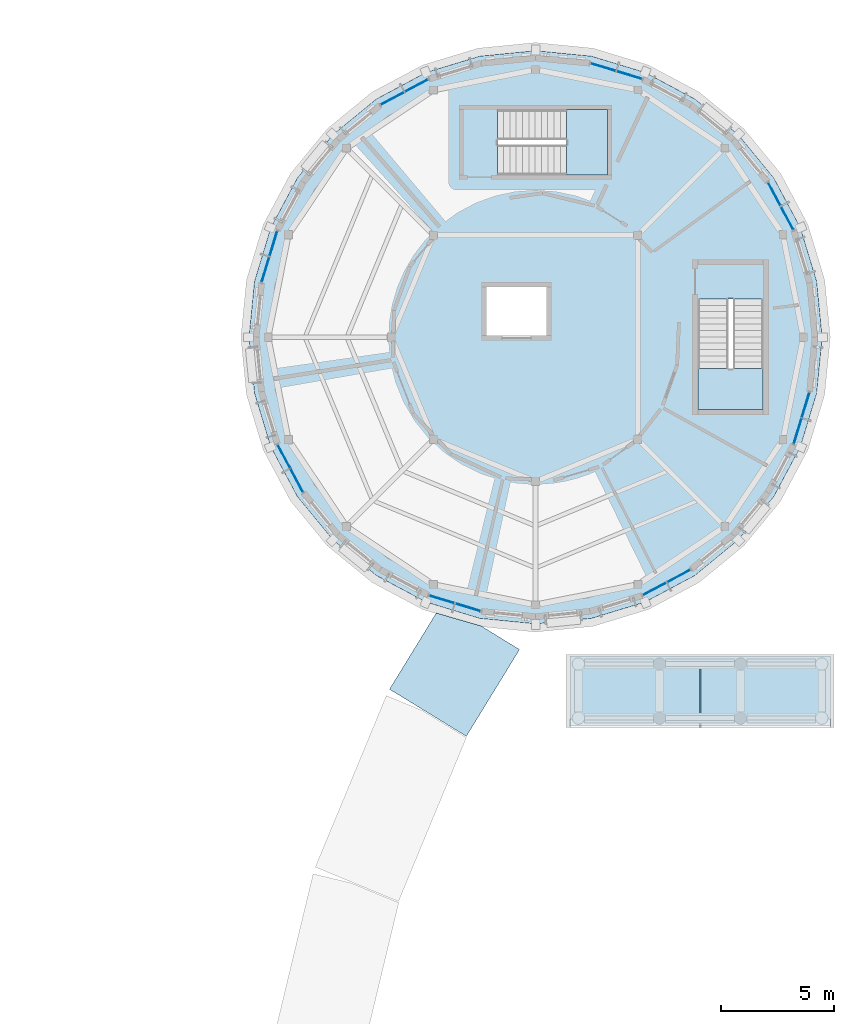
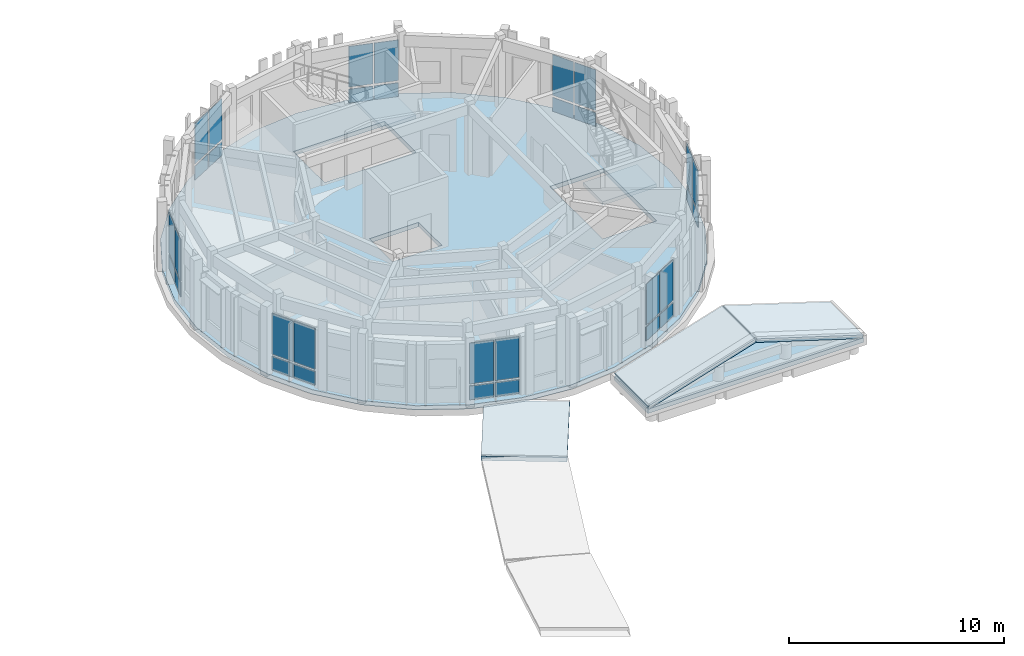
# One storey, part 25 of 58: 32 plates, 7 slabs, 10 elements without a shape of their own.
"""IFC4 building model written with IfcOpenShell, lengths in metres."""

import ifcopenshell
import ifcopenshell.guid

model = None  # the IFC model being written
_history = None  # IfcOwnerHistory: only IFC2X3 demands one
_inside = {}  # id of a spatial element -> (the spatial element, [elements in it])
_under = {}  # id of a project, library or spatial element -> (it, [spatial elements below it])
_declared = {}  # id of a project -> (the project, [libraries it declares])
_typed = {}  # id of a type object -> (the type object, [elements of that type])
_made_of = {}  # id of a material, layer set ... -> (it, [elements and type objects made of it])


def new_model(schema):
    """Start an empty IFC model of exactly this schema.

    Asked for "IFC4X3", IfcOpenShell would pick the latest addendum, in which some entities
    have other attributes; the version numbers below select the first issue.
    IFC2X3 requires an IfcOwnerHistory on every rooted entity: one is made here for all.
    """
    global model, _history
    if schema == "IFC4X3":
        model = ifcopenshell.file(schema_version=(4, 3, 0, 0))
    else:
        model = ifcopenshell.file(schema=schema)
    _inside.clear()
    _under.clear()
    _declared.clear()
    _typed.clear()
    _made_of.clear()
    _history = None
    if model.schema == "IFC2X3":
        org = make("IfcOrganization", Name="unknown")
        user = make(
            "IfcPersonAndOrganization",
            ThePerson=make("IfcPerson", FamilyName="unknown"),
            TheOrganization=org,
        )
        app = make(
            "IfcApplication",
            ApplicationDeveloper=org,
            Version="unknown",
            ApplicationFullName="unknown",
            ApplicationIdentifier="unknown",
        )
        _history = make(
            "IfcOwnerHistory",
            OwningUser=user,
            OwningApplication=app,
            ChangeAction="ADDED",
            CreationDate=0,
        )
    return model


def make(cls, **values):
    """One entity of the class cls with the attributes given. An attribute that is None is left unset."""
    return model.create_entity(
        cls, **{name: value for name, value in values.items() if value is not None}
    )


def rooted(cls, **values):
    """An entity with a GlobalId (a new one), such as an element, a storey or a relation."""
    return make(cls, GlobalId=ifcopenshell.guid.new(), OwnerHistory=_history, **values)


def si_unit(unit_type, name, prefix=None):
    """IfcSIUnit, for example si_unit("LENGTHUNIT", "METRE", prefix="MILLI")."""
    return make("IfcSIUnit", UnitType=unit_type, Prefix=prefix, Name=name)


def assignment(units):
    """IfcUnitAssignment: the units of a project."""
    return None if units is None else make("IfcUnitAssignment", Units=units)


def point(xyz):
    """IfcCartesianPoint."""
    return None if xyz is None else make("IfcCartesianPoint", Coordinates=xyz)


def direction(xyz):
    """IfcDirection."""
    return None if xyz is None else make("IfcDirection", DirectionRatios=xyz)


def frame(location, z_axis=None, x_axis=None):
    """IfcAxis2Placement3D, a coordinate frame: its origin and axes. An axis left out is left unset."""
    return make(
        "IfcAxis2Placement3D",
        Location=point(location),
        Axis=direction(z_axis),
        RefDirection=direction(x_axis),
    )


def frame_2d(location, x_axis=None):
    """IfcAxis2Placement2D, a coordinate frame in the plane: its origin and x axis."""
    return make(
        "IfcAxis2Placement2D", Location=point(location), RefDirection=direction(x_axis)
    )


def origin():
    """The frame at (0, 0, 0) with its axes left unset."""
    return frame((0.0, 0.0, 0.0))


def origin_2d():
    """The frame at (0, 0) in the plane with its x axis left unset."""
    return frame_2d((0.0, 0.0))


def place(relative_to, where):
    """IfcLocalPlacement: puts the frame where relative to a parent placement (None: the world)."""
    return make(
        "IfcLocalPlacement", PlacementRelTo=relative_to, RelativePlacement=where
    )


def context(
    kind, dimensions, precision=None, world=None, true_north=None, identifier=None
):
    """IfcGeometricRepresentationContext, for example the 3D "Model" context."""
    return make(
        "IfcGeometricRepresentationContext",
        ContextIdentifier=identifier,
        ContextType=kind,
        CoordinateSpaceDimension=dimensions,
        Precision=precision,
        WorldCoordinateSystem=world,
        TrueNorth=true_north,
    )


def subcontext(parent, identifier, kind, view, scale=None):
    """IfcGeometricRepresentationSubContext, for example "Body" below "Model"."""
    return make(
        "IfcGeometricRepresentationSubContext",
        ContextIdentifier=identifier,
        ContextType=kind,
        ParentContext=parent,
        TargetScale=scale,
        TargetView=view,
    )


def project(units=None, contexts=None):
    """IfcProject with its units and contexts."""
    return rooted(
        "IfcProject",
        Name="project",
        RepresentationContexts=contexts,
        UnitsInContext=assignment(units),
    )


def spatial(cls, under=None, at=None, **own):
    """A site, building, storey or space (cls), placed at a placement, below another one or the project."""
    s = rooted(cls, ObjectPlacement=at, **own)
    if under is not None:
        _under.setdefault(under.id(), (under, []))[1].append(s)
    return s


def polyline(points):
    """IfcPolyline through the points."""
    return make("IfcPolyline", Points=[point(p) for p in points])


def profile(cls, at=None, kind="AREA", **sizes):
    """A parametric profile (cls). Its sizes go by their IFC names, for example OverallWidth=200.0."""
    return make(cls, ProfileType=kind, Position=at, **sizes)


def rectangle(**sizes):
    """IfcRectangleProfileDef."""
    return profile("IfcRectangleProfileDef", **sizes)


def outline(outer, holes=None, kind="AREA"):
    """IfcArbitraryClosedProfileDef: a profile drawn as a closed curve; with holes, ...WithVoids."""
    if holes is None:
        return make("IfcArbitraryClosedProfileDef", ProfileType=kind, OuterCurve=outer)
    return make(
        "IfcArbitraryProfileDefWithVoids",
        ProfileType=kind,
        OuterCurve=outer,
        InnerCurves=holes,
    )


def extrude(swept, where, along, depth):
    """IfcExtrudedAreaSolid: the profile swept, set in the frame where, extruded along a direction by depth."""
    return make(
        "IfcExtrudedAreaSolid",
        SweptArea=swept,
        Position=where,
        ExtrudedDirection=direction(along),
        Depth=depth,
    )


def shape(context_of_items, identifier, shape_type, items):
    """IfcShapeRepresentation: the items that make up one representation, for example the "Body"."""
    return make(
        "IfcShapeRepresentation",
        ContextOfItems=context_of_items,
        RepresentationIdentifier=identifier,
        RepresentationType=shape_type,
        Items=items,
    )


def material(Name=None, Category=None):
    """IfcMaterial."""
    return make("IfcMaterial", Name=Name, Category=Category)


def layer(
    of_material, thickness, ventilated=None, Name=None, Category=None, Priority=None
):
    """IfcMaterialLayer: one layer of a wall or slab, of a material (None: an air gap)."""
    return make(
        "IfcMaterialLayer",
        Material=of_material,
        LayerThickness=thickness,
        IsVentilated=ventilated,
        Name=Name,
        Category=Category,
        Priority=Priority,
    )


def layer_set(layers, Name=None):
    """IfcMaterialLayerSet."""
    return make("IfcMaterialLayerSet", MaterialLayers=layers, LayerSetName=Name)


def made_of(thing, what):
    """Note that an element or type object is made of a material, layer set ...; save() writes the relation."""
    if what is not None:
        _made_of.setdefault(what.id(), (what, []))[1].append(thing)
    return thing


def type_object(cls, material=None, **own):
    """A type object (cls), such as IfcWallType, which elements share."""
    return made_of(rooted(cls, **own), material)


def element(
    cls,
    number,
    at=None,
    inside=None,
    cuts=None,
    type_object=None,
    material=None,
    context=None,
    identifier="Body",
    shape_type=None,
    held_by="IfcProductDefinitionShape",
    body=None,
    shapes=None,
    **own,
):
    """One element of the class cls, such as IfcWall. Its Tag is "e" and its number.

    at: its placement. inside: the storey or other place that contains it. cuts: it is an
    opening in that element (IfcRelVoidsElement). A single representation is given by context,
    identifier, shape_type and body (its items); several are given by shapes. held_by: the class
    of the entity that holds the representations. save() writes the other relations.
    """
    e = rooted(cls, Tag="e%d" % number, ObjectPlacement=at, **own)
    if body is not None:
        shapes = [shape(context, identifier, shape_type, body)]
    if shapes is not None:
        e.Representation = make(held_by, Representations=shapes)
    if inside is not None:
        _inside.setdefault(inside.id(), (inside, []))[1].append(e)
    if cuts is not None:
        rooted(
            "IfcRelVoidsElement", RelatingBuildingElement=cuts, RelatedOpeningElement=e
        )
    if type_object is not None:
        _typed.setdefault(type_object.id(), (type_object, []))[1].append(e)
    return made_of(e, material)


def aggregate(whole, parts):
    """IfcRelAggregates: a whole, such as a stair, and the parts it consists of."""
    return rooted("IfcRelAggregates", RelatingObject=whole, RelatedObjects=parts)


def save(model, path):
    """Write the relations noted so far, then the file.

    IfcRelAggregates (storeys below a building ...), IfcRelContainedInSpatialStructure (elements
    in a storey), IfcRelDefinesByType, IfcRelAssociatesMaterial and IfcRelDeclares: one each for
    every whole, place, type object, material and project.
    """
    for whole, parts in _under.values():
        aggregate(whole, parts)
    for where, things in _inside.values():
        rooted(
            "IfcRelContainedInSpatialStructure",
            RelatedElements=things,
            RelatingStructure=where,
        )
    for kind, things in _typed.values():
        rooted("IfcRelDefinesByType", RelatedObjects=things, RelatingType=kind)
    for what, things in _made_of.values():
        rooted("IfcRelAssociatesMaterial", RelatedObjects=things, RelatingMaterial=what)
    for by, libraries in _declared.values():
        rooted("IfcRelDeclares", RelatingContext=by, RelatedDefinitions=libraries)
    model.write(path)


model = new_model("IFC4")

# Units and contexts
model_context = context("Model", 3, precision=1e-05, world=origin(), true_north=direction((0.0, 1.0)))
body_context = subcontext(model_context, "Body", "Model", "MODEL_VIEW")
ifc_project = project(units=[si_unit("LENGTHUNIT", "METRE"), si_unit("AREAUNIT", "SQUARE_METRE"), si_unit("VOLUMEUNIT", "CUBIC_METRE"), si_unit("PLANEANGLEUNIT", "RADIAN"), si_unit("MASSUNIT", "GRAM", prefix="KILO")], contexts=[model_context])

# Site, building, storey
site_placement = place(None, origin())
site = spatial("IfcSite", under=ifc_project, at=site_placement, CompositionType="ELEMENT")
building_placement = place(site_placement, origin())
building = spatial("IfcBuilding", under=site, at=building_placement, Name="Aldenvaro Health Centre", CompositionType="ELEMENT")
storey_placement = place(building_placement, frame((0.0, 0.0, 8.75)))
storey = spatial("IfcBuildingStorey", under=building, at=storey_placement, Name="L02", CompositionType="ELEMENT", Elevation=8.75)

# Curtain wall, plates
ifc_material_1 = material(Name="Anodised Aluminium 6063-T6", Category="aluminium")
ifc_layer_1 = layer(ifc_material_1, 0.195068359375, Name="Anodised Aluminium 6063-T6", Category="aluminium")
ifc_layer_set_1 = layer_set([ifc_layer_1], Name="Anodised Aluminium 6063-T6")
curtain_wall_type = type_object("IfcCurtainWallType", Name="CW-CLN-02", PredefinedType="NOTDEFINED", material=ifc_layer_set_1)
curtain_wall_1_placement = place(storey_placement, origin())
curtain_wall_1 = element("IfcCurtainWall", 1, at=curtain_wall_1_placement, inside=storey, type_object=curtain_wall_type, Name="D2 L02 curtain wall bay 02", PredefinedType="NOTDEFINED")
ifc_material_2 = material(Name="Low-E Double Glazing IGU", Category="glass")
ifc_layer_2 = layer(ifc_material_2, 0.028076171875, Name="Low-E Double Glazing IGU", Category="glass")
ifc_layer_set_2 = layer_set([ifc_layer_2], Name="Low-E Double Glazing IGU")
plate_type_1 = type_object("IfcPlateType", Name="CWP-IGU-28", PredefinedType="CURTAIN_PANEL", material=ifc_layer_set_2)
plate_1_placement = place(storey_placement, frame((166.486083984375, 96.4990234375, 0.96044921875), z_axis=(0.0, 0.0, 1.0), x_axis=(-0.290441245116, -0.956892827403, 0.0)))
plate_1 = element("IfcPlate", 2, at=plate_1_placement, type_object=plate_type_1, Name="D2 L02 curtain wall bay 02 vision glazing 1", PredefinedType="CURTAIN_PANEL", context=body_context, shape_type="SweptSolid", body=[
    extrude(rectangle(XDim=1.14501953125, YDim=0.028076171875, at=origin_2d()), origin(), (0.0, 0.0, 1.0), 2.30908203125),
])
plate_2_placement = place(storey_placement, frame((166.132080078125, 95.3369140625, 0.96044921875), z_axis=(0.0, 0.0, 1.0), x_axis=(-0.290441245116, -0.956892827403, 0.0)))
plate_2 = element("IfcPlate", 3, at=plate_2_placement, type_object=plate_type_1, Name="D2 L02 curtain wall bay 02 vision glazing 2", PredefinedType="CURTAIN_PANEL", context=body_context, shape_type="SweptSolid", body=[
    extrude(rectangle(XDim=1.14501953125, YDim=0.028076171875, at=origin_2d()), origin(), (0.0, 0.0, 1.0), 2.30908203125),
])

curtain_wall_2_placement = place(storey_placement, origin())
curtain_wall_2 = element("IfcCurtainWall", 4, at=curtain_wall_2_placement, inside=storey, type_object=curtain_wall_type, Name="D2 L02 curtain wall bay 06", PredefinedType="NOTDEFINED")
plate_3_placement = place(storey_placement, frame((160.85302734375, 88.903076171875, 0.96044921875), z_axis=(0.0, 0.0, 1.0), x_axis=(-0.881919874971, -0.471399336159, 0.0)))
plate_3 = element("IfcPlate", 5, at=plate_3_placement, type_object=plate_type_1, Name="D2 L02 curtain wall bay 06 vision glazing 1", PredefinedType="CURTAIN_PANEL", context=body_context, shape_type="SweptSolid", body=[
    extrude(rectangle(XDim=1.14599609375, YDim=0.028076171875, at=origin_2d()), origin(), (0.0, 0.0, 1.0), 2.30908203125),
])
plate_4_placement = place(storey_placement, frame((159.781005859375, 88.3310546875, 0.96044921875), z_axis=(0.0, 0.0, 1.0), x_axis=(-0.881919874971, -0.471399336159, 0.0)))
plate_4 = element("IfcPlate", 6, at=plate_4_placement, type_object=plate_type_1, Name="D2 L02 curtain wall bay 06 vision glazing 2", PredefinedType="CURTAIN_PANEL", context=body_context, shape_type="SweptSolid", body=[
    extrude(rectangle(XDim=1.14599609375, YDim=0.028076171875, at=origin_2d()), origin(), (0.0, 0.0, 1.0), 2.30908203125),
])

curtain_wall_3_placement = place(storey_placement, origin())
curtain_wall_3 = element("IfcCurtainWall", 7, at=curtain_wall_3_placement, inside=storey, type_object=curtain_wall_type, Name="D2 L02 curtain wall bay 10", PredefinedType="NOTDEFINED")
plate_5_placement = place(storey_placement, frame((151.4990234375, 87.513916015625, 0.96044921875), z_axis=(0.0, 0.0, 1.0), x_axis=(-0.956892827403, 0.290441245116, 0.0)))
plate_5 = element("IfcPlate", 8, at=plate_5_placement, type_object=plate_type_1, Name="D2 L02 curtain wall bay 10 vision glazing 1", PredefinedType="CURTAIN_PANEL", context=body_context, shape_type="SweptSolid", body=[
    extrude(rectangle(XDim=1.14501953125, YDim=0.028076171875, at=origin_2d()), origin(), (0.0, 0.0, 1.0), 2.30908203125),
])
plate_6_placement = place(storey_placement, frame((150.3369140625, 87.866943359375, 0.96044921875), z_axis=(0.0, 0.0, 1.0), x_axis=(-0.956892827403, 0.290441245116, 0.0)))
plate_6 = element("IfcPlate", 9, at=plate_6_placement, type_object=plate_type_1, Name="D2 L02 curtain wall bay 10 vision glazing 2", PredefinedType="CURTAIN_PANEL", context=body_context, shape_type="SweptSolid", body=[
    extrude(rectangle(XDim=1.14501953125, YDim=0.028076171875, at=origin_2d()), origin(), (0.0, 0.0, 1.0), 2.30908203125),
])

curtain_wall_4_placement = place(storey_placement, origin())
curtain_wall_4 = element("IfcCurtainWall", 10, at=curtain_wall_4_placement, inside=storey, type_object=curtain_wall_type, Name="D2 L02 curtain wall bay 14", PredefinedType="NOTDEFINED")
plate_7_placement = place(storey_placement, frame((143.904052734375, 93.14697265625, 0.96044921875), z_axis=(0.0, 0.0, 1.0), x_axis=(-0.471399336159, 0.881919874971, 0.0)))
plate_7 = element("IfcPlate", 11, at=plate_7_placement, type_object=plate_type_1, Name="D2 L02 curtain wall bay 14 vision glazing 1", PredefinedType="CURTAIN_PANEL", context=body_context, shape_type="SweptSolid", body=[
    extrude(rectangle(XDim=1.14599609375, YDim=0.028076171875, at=origin_2d()), origin(), (0.0, 0.0, 1.0), 2.30908203125),
])
plate_8_placement = place(storey_placement, frame((143.3310546875, 94.218994140625, 0.96044921875), z_axis=(0.0, 0.0, 1.0), x_axis=(-0.471399336159, 0.881919874971, 0.0)))
plate_8 = element("IfcPlate", 12, at=plate_8_placement, type_object=plate_type_1, Name="D2 L02 curtain wall bay 14 vision glazing 2", PredefinedType="CURTAIN_PANEL", context=body_context, shape_type="SweptSolid", body=[
    extrude(rectangle(XDim=1.14599609375, YDim=0.028076171875, at=origin_2d()), origin(), (0.0, 0.0, 1.0), 2.30908203125),
])

curtain_wall_5_placement = place(storey_placement, origin())
curtain_wall_5 = element("IfcCurtainWall", 13, at=curtain_wall_5_placement, inside=storey, type_object=curtain_wall_type, Name="D2 L02 curtain wall bay 18", PredefinedType="NOTDEFINED")
plate_9_placement = place(storey_placement, frame((142.513916015625, 102.5009765625, 0.96044921875), z_axis=(0.0, 0.0, 1.0), x_axis=(0.290441245116, 0.956892827403, 0.0)))
plate_9 = element("IfcPlate", 14, at=plate_9_placement, type_object=plate_type_1, Name="D2 L02 curtain wall bay 18 vision glazing 1", PredefinedType="CURTAIN_PANEL", context=body_context, shape_type="SweptSolid", body=[
    extrude(rectangle(XDim=1.14501953125, YDim=0.028076171875, at=origin_2d()), origin(), (0.0, 0.0, 1.0), 2.30908203125),
])
plate_10_placement = place(storey_placement, frame((142.867919921875, 103.6630859375, 0.96044921875), z_axis=(0.0, 0.0, 1.0), x_axis=(0.290441245116, 0.956892827403, 0.0)))
plate_10 = element("IfcPlate", 15, at=plate_10_placement, type_object=plate_type_1, Name="D2 L02 curtain wall bay 18 vision glazing 2", PredefinedType="CURTAIN_PANEL", context=body_context, shape_type="SweptSolid", body=[
    extrude(rectangle(XDim=1.14501953125, YDim=0.028076171875, at=origin_2d()), origin(), (0.0, 0.0, 1.0), 2.30908203125),
])

curtain_wall_6_placement = place(storey_placement, origin())
curtain_wall_6 = element("IfcCurtainWall", 16, at=curtain_wall_6_placement, inside=storey, type_object=curtain_wall_type, Name="D2 L02 curtain wall bay 22", PredefinedType="NOTDEFINED")
plate_11_placement = place(storey_placement, frame((148.14697265625, 110.096923828125, 0.96044921875), z_axis=(0.0, 0.0, 1.0), x_axis=(0.881919874971, 0.471399336159, 0.0)))
plate_11 = element("IfcPlate", 17, at=plate_11_placement, type_object=plate_type_1, Name="D2 L02 curtain wall bay 22 vision glazing 1", PredefinedType="CURTAIN_PANEL", context=body_context, shape_type="SweptSolid", body=[
    extrude(rectangle(XDim=1.14599609375, YDim=0.028076171875, at=origin_2d()), origin(), (0.0, 0.0, 1.0), 2.30908203125),
])
plate_12_placement = place(storey_placement, frame((149.218994140625, 110.6689453125, 0.96044921875), z_axis=(0.0, 0.0, 1.0), x_axis=(0.881919874971, 0.471399336159, 0.0)))
plate_12 = element("IfcPlate", 18, at=plate_12_placement, type_object=plate_type_1, Name="D2 L02 curtain wall bay 22 vision glazing 2", PredefinedType="CURTAIN_PANEL", context=body_context, shape_type="SweptSolid", body=[
    extrude(rectangle(XDim=1.14599609375, YDim=0.028076171875, at=origin_2d()), origin(), (0.0, 0.0, 1.0), 2.30908203125),
])

curtain_wall_7_placement = place(storey_placement, origin())
curtain_wall_7 = element("IfcCurtainWall", 19, at=curtain_wall_7_placement, inside=storey, type_object=curtain_wall_type, Name="D2 L02 curtain wall bay 26", PredefinedType="NOTDEFINED")
plate_13_placement = place(storey_placement, frame((157.5009765625, 111.486083984375, 0.96044921875), z_axis=(0.0, 0.0, 1.0), x_axis=(0.956892827403, -0.290441245116, 0.0)))
plate_13 = element("IfcPlate", 20, at=plate_13_placement, type_object=plate_type_1, Name="D2 L02 curtain wall bay 26 vision glazing 1", PredefinedType="CURTAIN_PANEL", context=body_context, shape_type="SweptSolid", body=[
    extrude(rectangle(XDim=1.14501953125, YDim=0.028076171875, at=origin_2d()), origin(), (0.0, 0.0, 1.0), 2.30908203125),
])
plate_14_placement = place(storey_placement, frame((158.6630859375, 111.133056640625, 0.96044921875), z_axis=(0.0, 0.0, 1.0), x_axis=(0.956892827403, -0.290441245116, 0.0)))
plate_14 = element("IfcPlate", 21, at=plate_14_placement, type_object=plate_type_1, Name="D2 L02 curtain wall bay 26 vision glazing 2", PredefinedType="CURTAIN_PANEL", context=body_context, shape_type="SweptSolid", body=[
    extrude(rectangle(XDim=1.14501953125, YDim=0.028076171875, at=origin_2d()), origin(), (0.0, 0.0, 1.0), 2.30908203125),
])

curtain_wall_8_placement = place(storey_placement, origin())
curtain_wall_8 = element("IfcCurtainWall", 22, at=curtain_wall_8_placement, inside=storey, type_object=curtain_wall_type, Name="D2 L02 curtain wall bay 30", PredefinedType="NOTDEFINED")
plate_15_placement = place(storey_placement, frame((165.095947265625, 105.85302734375, 0.96044921875), z_axis=(0.0, 0.0, 1.0), x_axis=(0.471399336159, -0.881919874971, 0.0)))
plate_15 = element("IfcPlate", 23, at=plate_15_placement, type_object=plate_type_1, Name="D2 L02 curtain wall bay 30 vision glazing 1", PredefinedType="CURTAIN_PANEL", context=body_context, shape_type="SweptSolid", body=[
    extrude(rectangle(XDim=1.14599609375, YDim=0.028076171875, at=origin_2d()), origin(), (0.0, 0.0, 1.0), 2.30908203125),
])
plate_16_placement = place(storey_placement, frame((165.6689453125, 104.781005859375, 0.96044921875), z_axis=(0.0, 0.0, 1.0), x_axis=(0.471399336159, -0.881919874971, 0.0)))
plate_16 = element("IfcPlate", 24, at=plate_16_placement, type_object=plate_type_1, Name="D2 L02 curtain wall bay 30 vision glazing 2", PredefinedType="CURTAIN_PANEL", context=body_context, shape_type="SweptSolid", body=[
    extrude(rectangle(XDim=1.14599609375, YDim=0.028076171875, at=origin_2d()), origin(), (0.0, 0.0, 1.0), 2.30908203125),
])

# Plate
ifc_material_3 = material(Name="Insulated Aluminium Spandrel", Category="aluminium")
ifc_layer_3 = layer(ifc_material_3, 0.035888671875, Name="Insulated Aluminium Spandrel", Category="aluminium")
ifc_layer_set_3 = layer_set([ifc_layer_3], Name="Insulated Aluminium Spandrel")
plate_type_2 = type_object("IfcPlateType", Name="CWP-SPN-36", PredefinedType="CURTAIN_PANEL", material=ifc_layer_set_3)
plate_17_placement = place(storey_placement, frame((166.486083984375, 96.4990234375, 0.06005859375), z_axis=(0.0, 0.0, 1.0), x_axis=(-0.290441245116, -0.956892827403, 0.0)))
plate_17 = element("IfcPlate", 25, at=plate_17_placement, type_object=plate_type_2, Name="D2 L02 curtain wall bay 02 spandrel panel 1", PredefinedType="CURTAIN_PANEL", context=body_context, shape_type="SweptSolid", body=[
    extrude(rectangle(XDim=1.14501953125, YDim=0.035888671875, at=origin_2d()), origin(), (0.0, 0.0, 1.0), 0.780029296875),
])

plate_18_placement = place(storey_placement, frame((166.132080078125, 95.3369140625, 0.06005859375), z_axis=(0.0, 0.0, 1.0), x_axis=(-0.290441245116, -0.956892827403, 0.0)))
plate_18 = element("IfcPlate", 26, at=plate_18_placement, type_object=plate_type_2, Name="D2 L02 curtain wall bay 02 spandrel panel 2", PredefinedType="CURTAIN_PANEL", context=body_context, shape_type="SweptSolid", body=[
    extrude(rectangle(XDim=1.14501953125, YDim=0.035888671875, at=origin_2d()), origin(), (0.0, 0.0, 1.0), 0.780029296875),
])

aggregate(curtain_wall_1, [plate_17, plate_1, plate_18, plate_2])

plate_19_placement = place(storey_placement, frame((160.85302734375, 88.903076171875, 0.06005859375), z_axis=(0.0, 0.0, 1.0), x_axis=(-0.881919874971, -0.471399336159, 0.0)))
plate_19 = element("IfcPlate", 27, at=plate_19_placement, type_object=plate_type_2, Name="D2 L02 curtain wall bay 06 spandrel panel 1", PredefinedType="CURTAIN_PANEL", context=body_context, shape_type="SweptSolid", body=[
    extrude(rectangle(XDim=1.14599609375, YDim=0.035888671875, at=origin_2d()), origin(), (0.0, 0.0, 1.0), 0.780029296875),
])

plate_20_placement = place(storey_placement, frame((159.781005859375, 88.3310546875, 0.06005859375), z_axis=(0.0, 0.0, 1.0), x_axis=(-0.881919874971, -0.471399336159, 0.0)))
plate_20 = element("IfcPlate", 28, at=plate_20_placement, type_object=plate_type_2, Name="D2 L02 curtain wall bay 06 spandrel panel 2", PredefinedType="CURTAIN_PANEL", context=body_context, shape_type="SweptSolid", body=[
    extrude(rectangle(XDim=1.14599609375, YDim=0.035888671875, at=origin_2d()), origin(), (0.0, 0.0, 1.0), 0.780029296875),
])

aggregate(curtain_wall_2, [plate_19, plate_3, plate_20, plate_4])

plate_21_placement = place(storey_placement, frame((151.4990234375, 87.513916015625, 0.06005859375), z_axis=(0.0, 0.0, 1.0), x_axis=(-0.956892827403, 0.290441245116, 0.0)))
plate_21 = element("IfcPlate", 29, at=plate_21_placement, type_object=plate_type_2, Name="D2 L02 curtain wall bay 10 spandrel panel 1", PredefinedType="CURTAIN_PANEL", context=body_context, shape_type="SweptSolid", body=[
    extrude(rectangle(XDim=1.14501953125, YDim=0.035888671875, at=origin_2d()), origin(), (0.0, 0.0, 1.0), 0.780029296875),
])

plate_22_placement = place(storey_placement, frame((150.3369140625, 87.866943359375, 0.06005859375), z_axis=(0.0, 0.0, 1.0), x_axis=(-0.956892827403, 0.290441245116, 0.0)))
plate_22 = element("IfcPlate", 30, at=plate_22_placement, type_object=plate_type_2, Name="D2 L02 curtain wall bay 10 spandrel panel 2", PredefinedType="CURTAIN_PANEL", context=body_context, shape_type="SweptSolid", body=[
    extrude(rectangle(XDim=1.14501953125, YDim=0.035888671875, at=origin_2d()), origin(), (0.0, 0.0, 1.0), 0.780029296875),
])

aggregate(curtain_wall_3, [plate_21, plate_5, plate_22, plate_6])

plate_23_placement = place(storey_placement, frame((143.904052734375, 93.14697265625, 0.06005859375), z_axis=(0.0, 0.0, 1.0), x_axis=(-0.471399336159, 0.881919874971, 0.0)))
plate_23 = element("IfcPlate", 31, at=plate_23_placement, type_object=plate_type_2, Name="D2 L02 curtain wall bay 14 spandrel panel 1", PredefinedType="CURTAIN_PANEL", context=body_context, shape_type="SweptSolid", body=[
    extrude(rectangle(XDim=1.14599609375, YDim=0.035888671875, at=origin_2d()), origin(), (0.0, 0.0, 1.0), 0.780029296875),
])

plate_24_placement = place(storey_placement, frame((143.3310546875, 94.218994140625, 0.06005859375), z_axis=(0.0, 0.0, 1.0), x_axis=(-0.471399336159, 0.881919874971, 0.0)))
plate_24 = element("IfcPlate", 32, at=plate_24_placement, type_object=plate_type_2, Name="D2 L02 curtain wall bay 14 spandrel panel 2", PredefinedType="CURTAIN_PANEL", context=body_context, shape_type="SweptSolid", body=[
    extrude(rectangle(XDim=1.14599609375, YDim=0.035888671875, at=origin_2d()), origin(), (0.0, 0.0, 1.0), 0.780029296875),
])

aggregate(curtain_wall_4, [plate_23, plate_7, plate_24, plate_8])

plate_25_placement = place(storey_placement, frame((142.513916015625, 102.5009765625, 0.06005859375), z_axis=(0.0, 0.0, 1.0), x_axis=(0.290441245116, 0.956892827403, 0.0)))
plate_25 = element("IfcPlate", 33, at=plate_25_placement, type_object=plate_type_2, Name="D2 L02 curtain wall bay 18 spandrel panel 1", PredefinedType="CURTAIN_PANEL", context=body_context, shape_type="SweptSolid", body=[
    extrude(rectangle(XDim=1.14501953125, YDim=0.035888671875, at=origin_2d()), origin(), (0.0, 0.0, 1.0), 0.780029296875),
])

plate_26_placement = place(storey_placement, frame((142.867919921875, 103.6630859375, 0.06005859375), z_axis=(0.0, 0.0, 1.0), x_axis=(0.290441245116, 0.956892827403, 0.0)))
plate_26 = element("IfcPlate", 34, at=plate_26_placement, type_object=plate_type_2, Name="D2 L02 curtain wall bay 18 spandrel panel 2", PredefinedType="CURTAIN_PANEL", context=body_context, shape_type="SweptSolid", body=[
    extrude(rectangle(XDim=1.14501953125, YDim=0.035888671875, at=origin_2d()), origin(), (0.0, 0.0, 1.0), 0.780029296875),
])

aggregate(curtain_wall_5, [plate_25, plate_9, plate_26, plate_10])

plate_27_placement = place(storey_placement, frame((148.14697265625, 110.096923828125, 0.06005859375), z_axis=(0.0, 0.0, 1.0), x_axis=(0.881919874971, 0.471399336159, 0.0)))
plate_27 = element("IfcPlate", 35, at=plate_27_placement, type_object=plate_type_2, Name="D2 L02 curtain wall bay 22 spandrel panel 1", PredefinedType="CURTAIN_PANEL", context=body_context, shape_type="SweptSolid", body=[
    extrude(rectangle(XDim=1.14599609375, YDim=0.035888671875, at=origin_2d()), origin(), (0.0, 0.0, 1.0), 0.780029296875),
])

plate_28_placement = place(storey_placement, frame((149.218994140625, 110.6689453125, 0.06005859375), z_axis=(0.0, 0.0, 1.0), x_axis=(0.881919874971, 0.471399336159, 0.0)))
plate_28 = element("IfcPlate", 36, at=plate_28_placement, type_object=plate_type_2, Name="D2 L02 curtain wall bay 22 spandrel panel 2", PredefinedType="CURTAIN_PANEL", context=body_context, shape_type="SweptSolid", body=[
    extrude(rectangle(XDim=1.14599609375, YDim=0.035888671875, at=origin_2d()), origin(), (0.0, 0.0, 1.0), 0.780029296875),
])

aggregate(curtain_wall_6, [plate_27, plate_11, plate_28, plate_12])

plate_29_placement = place(storey_placement, frame((157.5009765625, 111.486083984375, 0.06005859375), z_axis=(0.0, 0.0, 1.0), x_axis=(0.956892827403, -0.290441245116, 0.0)))
plate_29 = element("IfcPlate", 37, at=plate_29_placement, type_object=plate_type_2, Name="D2 L02 curtain wall bay 26 spandrel panel 1", PredefinedType="CURTAIN_PANEL", context=body_context, shape_type="SweptSolid", body=[
    extrude(rectangle(XDim=1.14501953125, YDim=0.035888671875, at=origin_2d()), origin(), (0.0, 0.0, 1.0), 0.780029296875),
])

plate_30_placement = place(storey_placement, frame((158.6630859375, 111.133056640625, 0.06005859375), z_axis=(0.0, 0.0, 1.0), x_axis=(0.956892827403, -0.290441245116, 0.0)))
plate_30 = element("IfcPlate", 38, at=plate_30_placement, type_object=plate_type_2, Name="D2 L02 curtain wall bay 26 spandrel panel 2", PredefinedType="CURTAIN_PANEL", context=body_context, shape_type="SweptSolid", body=[
    extrude(rectangle(XDim=1.14501953125, YDim=0.035888671875, at=origin_2d()), origin(), (0.0, 0.0, 1.0), 0.780029296875),
])

aggregate(curtain_wall_7, [plate_29, plate_13, plate_30, plate_14])

plate_31_placement = place(storey_placement, frame((165.095947265625, 105.85302734375, 0.06005859375), z_axis=(0.0, 0.0, 1.0), x_axis=(0.471399336159, -0.881919874971, 0.0)))
plate_31 = element("IfcPlate", 39, at=plate_31_placement, type_object=plate_type_2, Name="D2 L02 curtain wall bay 30 spandrel panel 1", PredefinedType="CURTAIN_PANEL", context=body_context, shape_type="SweptSolid", body=[
    extrude(rectangle(XDim=1.14599609375, YDim=0.035888671875, at=origin_2d()), origin(), (0.0, 0.0, 1.0), 0.780029296875),
])

plate_32_placement = place(storey_placement, frame((165.6689453125, 104.781005859375, 0.06005859375), z_axis=(0.0, 0.0, 1.0), x_axis=(0.471399336159, -0.881919874971, 0.0)))
plate_32 = element("IfcPlate", 40, at=plate_32_placement, type_object=plate_type_2, Name="D2 L02 curtain wall bay 30 spandrel panel 2", PredefinedType="CURTAIN_PANEL", context=body_context, shape_type="SweptSolid", body=[
    extrude(rectangle(XDim=1.14599609375, YDim=0.035888671875, at=origin_2d()), origin(), (0.0, 0.0, 1.0), 0.780029296875),
])

aggregate(curtain_wall_8, [plate_31, plate_15, plate_32, plate_16])

# Slab
ifc_material_4 = material(Name="Cross-laminated timber CLT E1", Category="wood")
ifc_layer_4 = layer(ifc_material_4, 0.2451171875, Name="Cross-laminated timber CLT E1", Category="wood")
ifc_layer_set_4 = layer_set([ifc_layer_4], Name="Cross-laminated timber CLT E1")
slab_type_1 = type_object("IfcSlabType", Name="SLB-CLT-245", PredefinedType="FLOOR", material=ifc_layer_set_4)
slab_1_placement = place(storey_placement, frame((0.0, 0.0, -0.2451171875)))
element("IfcSlab", 41, at=slab_1_placement, inside=storey, type_object=slab_type_1, Name="D2 L02 floor slab", PredefinedType="FLOOR", context=body_context, shape_type="SweptSolid", body=[
    extrude(outline(polyline([(167.219970703125, 99.5), (166.97607421875, 101.98193359375), (166.251953125, 104.367919921875), (165.075927734375, 106.56689453125), (163.493896484375, 108.493896484375), (161.56689453125, 110.075927734375), (159.367919921875, 111.251953125), (156.98193359375, 111.97607421875), (154.5, 112.219970703125), (152.01806640625, 111.97607421875), (149.632080078125, 111.251953125), (147.43310546875, 110.075927734375), (145.506103515625, 108.493896484375), (143.924072265625, 106.56689453125), (142.748046875, 104.367919921875), (142.02392578125, 101.98193359375), (141.780029296875, 99.5), (142.02392578125, 97.01806640625), (142.748046875, 94.632080078125), (143.924072265625, 92.43310546875), (145.506103515625, 90.506103515625), (147.43310546875, 88.924072265625), (149.632080078125, 87.748046875), (152.01806640625, 87.02392578125), (154.5, 86.780029296875), (156.98193359375, 87.02392578125), (159.367919921875, 87.748046875), (161.56689453125, 88.924072265625), (163.493896484375, 90.506103515625), (165.075927734375, 92.43310546875), (166.251953125, 94.632080078125), (166.97607421875, 97.01806640625), (167.219970703125, 99.5)]), holes=[polyline([(161.699951171875, 101.199951171875), (161.699951171875, 96.300048828125), (164.60009765625, 96.300048828125), (164.60009765625, 101.199951171875), (161.699951171875, 101.199951171875)]), polyline([(152.800048828125, 106.699951171875), (157.699951171875, 106.699951171875), (157.699951171875, 109.60009765625), (152.800048828125, 109.60009765625), (152.800048828125, 106.699951171875)]), polyline([(152.324951171875, 99.574951171875), (154.97509765625, 99.574951171875), (154.97509765625, 101.72509765625), (152.324951171875, 101.72509765625), (152.324951171875, 99.574951171875)])]), origin(), (0.0, 0.0, 1.0), 0.2451171875),
])

# Stair, slab
ifc_material_5 = material(Name="Concrete f'c 40 MPa", Category="concrete")
stair_type = type_object("IfcStairType", Name="STR-DOG-420", PredefinedType="HALF_TURN_STAIR", material=ifc_material_5)
stair_1_placement = place(storey_placement, origin())
stair_1 = element("IfcStair", 42, at=stair_1_placement, inside=storey, type_object=stair_type, Name="L02 Exit Stair ST-03", PredefinedType="HALF_TURN_STAIR")
ifc_layer_5 = layer(ifc_material_5, 0.199951171875, Name="Concrete f'c 40 MPa", Category="concrete")
ifc_layer_set_5 = layer_set([ifc_layer_5], Name="Concrete f'c 40 MPa")
slab_type_2 = type_object("IfcSlabType", Name="SLB-LND-200", PredefinedType="LANDING", material=ifc_layer_set_5)
slab_2_placement = place(storey_placement, frame((0.0, 0.0, 1.89990234375)))
slab_2 = element("IfcSlab", 43, at=slab_2_placement, type_object=slab_type_2, Name="ST-03 landing 1", PredefinedType="LANDING", context=body_context, shape_type="SweptSolid", body=[
    extrude(outline(polyline([(161.699951171875, 98.1201171875), (161.699951171875, 96.300048828125), (164.60009765625, 96.300048828125), (164.60009765625, 98.1201171875), (161.699951171875, 98.1201171875)])), origin(), (0.0, 0.0, 1.0), 0.2001953125),
])
aggregate(stair_1, [slab_2])

stair_2_placement = place(storey_placement, origin())
stair_2 = element("IfcStair", 44, at=stair_2_placement, inside=storey, type_object=stair_type, Name="L02 Exit Stair ST-04", PredefinedType="HALF_TURN_STAIR")
slab_3_placement = place(storey_placement, frame((0.0, 0.0, 1.89990234375)))
slab_3 = element("IfcSlab", 45, at=slab_3_placement, type_object=slab_type_2, Name="ST-04 landing 1", PredefinedType="LANDING", context=body_context, shape_type="SweptSolid", body=[
    extrude(outline(polyline([(155.8798828125, 106.699951171875), (157.699951171875, 106.699951171875), (157.699951171875, 109.60009765625), (155.8798828125, 109.60009765625), (155.8798828125, 106.699951171875)])), origin(), (0.0, 0.0, 1.0), 0.2001953125),
])
aggregate(stair_2, [slab_3])

# Slabs
ifc_layer_6 = layer(ifc_material_4, 0.195068359375, Name="Cross-laminated timber CLT E1", Category="wood")
ifc_layer_set_6 = layer_set([ifc_layer_6], Name="Cross-laminated timber CLT E1")
slab_type_3 = type_object("IfcSlabType", Name="SLB-ROOF-195", PredefinedType="ROOF", material=ifc_layer_set_6)
for number, where, z_axis, x_axis, name in (
    (46, (156.02001953125, 82.25, 1.010009765625), (-0.297240682512, 0.0, 0.954802585177), (0.954802585177, 0.0, 0.297240682512), "Bastion Portico N2 Pediment Deck W"),
    (47, (161.830078125, 82.25, 2.800048828125), (0.297240682512, 0.0, 0.954802585177), (0.954802585177, 0.0, -0.297240682512), "Bastion Portico N2 Pediment Deck E"),
):
    element("IfcSlab", number, at=place(storey_placement, frame(where, z_axis=z_axis, x_axis=x_axis)), inside=storey, type_object=slab_type_3, Name=name, PredefinedType="ROOF", context=body_context, shape_type="SweptSolid", body=[
        extrude(outline(polyline([(0.0, 0.0), (6.022187297425734, 0.0), (6.022187297425734, 3.10009765625), (0.0, 3.10009765625), (0.0, 0.0)])), origin(), (0.0, 0.0, -1.0), 0.195068359375),
    ])
ifc_layer_7 = layer(ifc_material_5, 0.25, Name="Concrete f'c 40 MPa", Category="concrete")
ifc_layer_set_7 = layer_set([ifc_layer_7], Name="Concrete f'c 40 MPa")
slab_type_4 = type_object("IfcSlabType", Name="SLB-ROOF-250", PredefinedType="ROOF", material=ifc_layer_set_7)
slab_4_placement = place(storey_placement, frame((0.0, 0.0, -0.25)))
element("IfcSlab", 48, at=slab_4_placement, inside=storey, type_object=slab_type_4, Name="East Curved Garden Colonnade Arc 1 roof slab", PredefinedType="ROOF", context=body_context, shape_type="SweptSolid", body=[
    extrude(outline(polyline([(153.7890625, 85.64306640625), (151.427001953125, 81.7900390625), (148.01708984375, 83.8798828125), (150.092041015625, 87.264892578125), (152.083984375, 86.68798828125), (153.7890625, 85.64306640625)])), origin(), (0.0, 0.0, 1.0), 0.25),
])
slab_5_placement = place(storey_placement, frame((0.0, 0.0, 0.60009765625)))
element("IfcSlab", 49, at=slab_5_placement, inside=storey, type_object=slab_type_4, Name="Bastion Tetrastyle Portico N2 Cornice Deck", PredefinedType="ROOF", context=body_context, shape_type="SweptSolid", body=[
    extrude(outline(polyline([(156.02001953125, 82.25), (167.580078125, 82.25), (167.580078125, 85.35009765625), (156.02001953125, 85.35009765625), (156.02001953125, 82.25)])), origin(), (0.0, 0.0, 1.0), 0.25),
])

save(model, "model.ifc")
